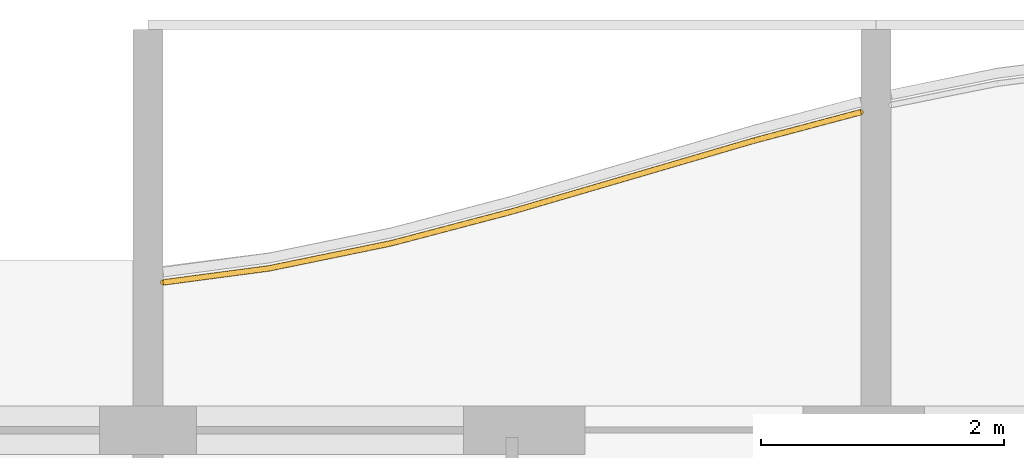
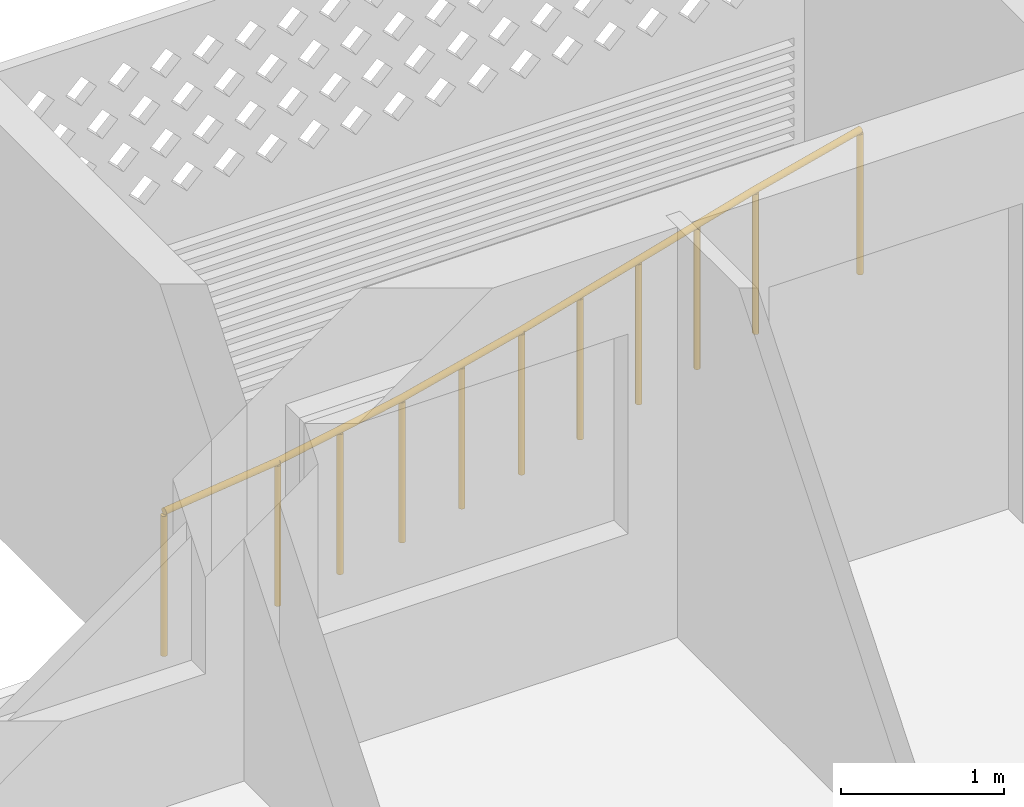
# One storey, part 19 of 26: 1 railing.
"""IFC4 building model written with IfcOpenShell, lengths in metres."""

import ifcopenshell
import ifcopenshell.guid

model = None  # the IFC model being written
_history = None  # IfcOwnerHistory: only IFC2X3 demands one
_inside = {}  # id of a spatial element -> (the spatial element, [elements in it])
_under = {}  # id of a project, library or spatial element -> (it, [spatial elements below it])
_declared = {}  # id of a project -> (the project, [libraries it declares])
_typed = {}  # id of a type object -> (the type object, [elements of that type])
_made_of = {}  # id of a material, layer set ... -> (it, [elements and type objects made of it])


def new_model(schema):
    """Start an empty IFC model of exactly this schema.

    Asked for "IFC4X3", IfcOpenShell would pick the latest addendum, in which some entities
    have other attributes; the version numbers below select the first issue.
    IFC2X3 requires an IfcOwnerHistory on every rooted entity: one is made here for all.
    """
    global model, _history
    if schema == "IFC4X3":
        model = ifcopenshell.file(schema_version=(4, 3, 0, 0))
    else:
        model = ifcopenshell.file(schema=schema)
    _inside.clear()
    _under.clear()
    _declared.clear()
    _typed.clear()
    _made_of.clear()
    _history = None
    if model.schema == "IFC2X3":
        org = make("IfcOrganization", Name="unknown")
        user = make(
            "IfcPersonAndOrganization",
            ThePerson=make("IfcPerson", FamilyName="unknown"),
            TheOrganization=org,
        )
        app = make(
            "IfcApplication",
            ApplicationDeveloper=org,
            Version="unknown",
            ApplicationFullName="unknown",
            ApplicationIdentifier="unknown",
        )
        _history = make(
            "IfcOwnerHistory",
            OwningUser=user,
            OwningApplication=app,
            ChangeAction="ADDED",
            CreationDate=0,
        )
    return model


def make(cls, **values):
    """One entity of the class cls with the attributes given. An attribute that is None is left unset."""
    return model.create_entity(
        cls, **{name: value for name, value in values.items() if value is not None}
    )


def rooted(cls, **values):
    """An entity with a GlobalId (a new one), such as an element, a storey or a relation."""
    return make(cls, GlobalId=ifcopenshell.guid.new(), OwnerHistory=_history, **values)


def si_unit(unit_type, name, prefix=None):
    """IfcSIUnit, for example si_unit("LENGTHUNIT", "METRE", prefix="MILLI")."""
    return make("IfcSIUnit", UnitType=unit_type, Prefix=prefix, Name=name)


def assignment(units):
    """IfcUnitAssignment: the units of a project."""
    return None if units is None else make("IfcUnitAssignment", Units=units)


def point(xyz):
    """IfcCartesianPoint."""
    return None if xyz is None else make("IfcCartesianPoint", Coordinates=xyz)


def direction(xyz):
    """IfcDirection."""
    return None if xyz is None else make("IfcDirection", DirectionRatios=xyz)


def frame(location, z_axis=None, x_axis=None):
    """IfcAxis2Placement3D, a coordinate frame: its origin and axes. An axis left out is left unset."""
    return make(
        "IfcAxis2Placement3D",
        Location=point(location),
        Axis=direction(z_axis),
        RefDirection=direction(x_axis),
    )


def frame_2d(location, x_axis=None):
    """IfcAxis2Placement2D, a coordinate frame in the plane: its origin and x axis."""
    return make(
        "IfcAxis2Placement2D", Location=point(location), RefDirection=direction(x_axis)
    )


def origin():
    """The frame at (0, 0, 0) with its axes left unset."""
    return frame((0.0, 0.0, 0.0))


def origin_2d():
    """The frame at (0, 0) in the plane with its x axis left unset."""
    return frame_2d((0.0, 0.0))


def place(relative_to, where):
    """IfcLocalPlacement: puts the frame where relative to a parent placement (None: the world)."""
    return make(
        "IfcLocalPlacement", PlacementRelTo=relative_to, RelativePlacement=where
    )


def context(
    kind, dimensions, precision=None, world=None, true_north=None, identifier=None
):
    """IfcGeometricRepresentationContext, for example the 3D "Model" context."""
    return make(
        "IfcGeometricRepresentationContext",
        ContextIdentifier=identifier,
        ContextType=kind,
        CoordinateSpaceDimension=dimensions,
        Precision=precision,
        WorldCoordinateSystem=world,
        TrueNorth=true_north,
    )


def subcontext(parent, identifier, kind, view, scale=None):
    """IfcGeometricRepresentationSubContext, for example "Body" below "Model"."""
    return make(
        "IfcGeometricRepresentationSubContext",
        ContextIdentifier=identifier,
        ContextType=kind,
        ParentContext=parent,
        TargetScale=scale,
        TargetView=view,
    )


def project(units=None, contexts=None):
    """IfcProject with its units and contexts."""
    return rooted(
        "IfcProject",
        Name="project",
        RepresentationContexts=contexts,
        UnitsInContext=assignment(units),
    )


def spatial(cls, under=None, at=None, **own):
    """A site, building, storey or space (cls), placed at a placement, below another one or the project."""
    s = rooted(cls, ObjectPlacement=at, **own)
    if under is not None:
        _under.setdefault(under.id(), (under, []))[1].append(s)
    return s


def profile(cls, at=None, kind="AREA", **sizes):
    """A parametric profile (cls). Its sizes go by their IFC names, for example OverallWidth=200.0."""
    return make(cls, ProfileType=kind, Position=at, **sizes)


def circle(**sizes):
    """IfcCircleProfileDef."""
    return profile("IfcCircleProfileDef", **sizes)


def extrude(swept, where, along, depth):
    """IfcExtrudedAreaSolid: the profile swept, set in the frame where, extruded along a direction by depth."""
    return make(
        "IfcExtrudedAreaSolid",
        SweptArea=swept,
        Position=where,
        ExtrudedDirection=direction(along),
        Depth=depth,
    )


def shape(context_of_items, identifier, shape_type, items):
    """IfcShapeRepresentation: the items that make up one representation, for example the "Body"."""
    return make(
        "IfcShapeRepresentation",
        ContextOfItems=context_of_items,
        RepresentationIdentifier=identifier,
        RepresentationType=shape_type,
        Items=items,
    )


def material(Name=None, Category=None):
    """IfcMaterial."""
    return make("IfcMaterial", Name=Name, Category=Category)


def made_of(thing, what):
    """Note that an element or type object is made of a material, layer set ...; save() writes the relation."""
    if what is not None:
        _made_of.setdefault(what.id(), (what, []))[1].append(thing)
    return thing


def type_object(cls, material=None, **own):
    """A type object (cls), such as IfcWallType, which elements share."""
    return made_of(rooted(cls, **own), material)


def element(
    cls,
    number,
    at=None,
    inside=None,
    cuts=None,
    type_object=None,
    material=None,
    context=None,
    identifier="Body",
    shape_type=None,
    held_by="IfcProductDefinitionShape",
    body=None,
    shapes=None,
    **own,
):
    """One element of the class cls, such as IfcWall. Its Tag is "e" and its number.

    at: its placement. inside: the storey or other place that contains it. cuts: it is an
    opening in that element (IfcRelVoidsElement). A single representation is given by context,
    identifier, shape_type and body (its items); several are given by shapes. held_by: the class
    of the entity that holds the representations. save() writes the other relations.
    """
    e = rooted(cls, Tag="e%d" % number, ObjectPlacement=at, **own)
    if body is not None:
        shapes = [shape(context, identifier, shape_type, body)]
    if shapes is not None:
        e.Representation = make(held_by, Representations=shapes)
    if inside is not None:
        _inside.setdefault(inside.id(), (inside, []))[1].append(e)
    if cuts is not None:
        rooted(
            "IfcRelVoidsElement", RelatingBuildingElement=cuts, RelatedOpeningElement=e
        )
    if type_object is not None:
        _typed.setdefault(type_object.id(), (type_object, []))[1].append(e)
    return made_of(e, material)


def aggregate(whole, parts):
    """IfcRelAggregates: a whole, such as a stair, and the parts it consists of."""
    return rooted("IfcRelAggregates", RelatingObject=whole, RelatedObjects=parts)


def save(model, path):
    """Write the relations noted so far, then the file.

    IfcRelAggregates (storeys below a building ...), IfcRelContainedInSpatialStructure (elements
    in a storey), IfcRelDefinesByType, IfcRelAssociatesMaterial and IfcRelDeclares: one each for
    every whole, place, type object, material and project.
    """
    for whole, parts in _under.values():
        aggregate(whole, parts)
    for where, things in _inside.values():
        rooted(
            "IfcRelContainedInSpatialStructure",
            RelatedElements=things,
            RelatingStructure=where,
        )
    for kind, things in _typed.values():
        rooted("IfcRelDefinesByType", RelatedObjects=things, RelatingType=kind)
    for what, things in _made_of.values():
        rooted("IfcRelAssociatesMaterial", RelatedObjects=things, RelatingMaterial=what)
    for by, libraries in _declared.values():
        rooted("IfcRelDeclares", RelatingContext=by, RelatedDefinitions=libraries)
    model.write(path)


model = new_model("IFC4")

# Units and contexts
model_context = context("Model", 3, precision=1e-05, world=origin(), true_north=direction((0.0, 1.0)))
body_context = subcontext(model_context, "Body", "Model", "MODEL_VIEW")
ifc_project = project(units=[si_unit("LENGTHUNIT", "METRE"), si_unit("AREAUNIT", "SQUARE_METRE"), si_unit("VOLUMEUNIT", "CUBIC_METRE"), si_unit("PLANEANGLEUNIT", "RADIAN"), si_unit("MASSUNIT", "GRAM", prefix="KILO")], contexts=[model_context])

# Site, building, storey
site_placement = place(None, origin())
site = spatial("IfcSite", under=ifc_project, at=site_placement, CompositionType="ELEMENT")
building_placement = place(site_placement, origin())
building = spatial("IfcBuilding", under=site, at=building_placement, Name="Poui Terraces", CompositionType="ELEMENT")
storey_placement = place(building_placement, frame((0.0, 0.0, 171.89990234375)))
storey = spatial("IfcBuildingStorey", under=building, at=storey_placement, Name="L47", CompositionType="ELEMENT", Elevation=171.89990234375)

# Railing
ifc_material = material(Name="Painted steel fretwork", Category="steel")
railing_type = type_object("IfcRailingType", Name="BALCONY GUARD 1100", PredefinedType="GUARDRAIL", material=ifc_material)
railing_placement = place(storey_placement, frame((48.125, 42.41748046875, 0.0)))
element("IfcRailing", 1, at=railing_placement, inside=storey, type_object=railing_type, Name="BALCONY GUARD", PredefinedType="GUARDRAIL", context=body_context, shape_type="SweptSolid", body=[
    extrude(circle(Radius=0.02392578125, at=origin_2d()), frame((0.0, 0.0, 1.076171875), z_axis=(0.991295408391, 0.131656421427, 0.0), x_axis=(-0.131656421427, 0.991295408391, 0.0)), (0.0, 0.0, 1.0), 0.882568359375),
    extrude(circle(Radius=0.02392578125, at=origin_2d()), frame((0.875, 0.1162109375, 1.076171875), z_axis=(0.979518122884, 0.201356020378, 0.0), x_axis=(-0.201356020378, 0.979518122884, 0.0)), (0.0, 0.0, 1.0), 1.02099609375),
    extrude(circle(Radius=0.02392578125, at=origin_2d()), frame((1.875, 0.32177734375, 1.076171875), z_axis=(0.967126511287, 0.25429571598, 0.0), x_axis=(-0.25429571598, 0.967126511287, 0.0)), (0.0, 0.0, 1.0), 1.033935546875),
    extrude(circle(Radius=0.02392578125, at=origin_2d()), frame((2.875, 0.584716796875, 1.076171875), z_axis=(0.959726621702, 0.280935600444, 0.0), x_axis=(-0.280935600444, 0.959726621702, 0.0)), (0.0, 0.0, 1.0), 1.0419921875),
    extrude(circle(Radius=0.02392578125, at=origin_2d()), frame((3.875, 0.87744140625, 1.076171875), z_axis=(0.959663427085, 0.281151394654, 0.0), x_axis=(-0.281151394654, 0.959663427085, 0.0)), (0.0, 0.0, 1.0), 1.0419921875),
    extrude(circle(Radius=0.02392578125, at=origin_2d()), frame((4.875, 1.17041015625, 1.076171875), z_axis=(0.966418189442, 0.256974479503, 0.0), x_axis=(-0.256974479503, 0.966418189442, 0.0)), (0.0, 0.0, 1.0), 0.905517578125),
    extrude(circle(Radius=0.02099609375, at=origin_2d()), origin(), (0.0, 0.0, 1.0), 1.052001953125),
    extrude(circle(Radius=0.02099609375, at=origin_2d()), frame((0.875, 0.1162109375, 0.0)), (0.0, 0.0, 1.0), 1.052001953125),
    extrude(circle(Radius=0.02099609375, at=origin_2d()), frame((1.375, 0.218994140625, 0.0)), (0.0, 0.0, 1.0), 1.052001953125),
    extrude(circle(Radius=0.02099609375, at=origin_2d()), frame((1.875, 0.32177734375, 0.0)), (0.0, 0.0, 1.0), 1.052001953125),
    extrude(circle(Radius=0.02099609375, at=origin_2d()), frame((2.375, 0.453125, 0.0)), (0.0, 0.0, 1.0), 1.052001953125),
    extrude(circle(Radius=0.02099609375, at=origin_2d()), frame((2.875, 0.584716796875, 0.0)), (0.0, 0.0, 1.0), 1.052001953125),
    extrude(circle(Radius=0.02099609375, at=origin_2d()), frame((3.375, 0.73095703125, 0.0)), (0.0, 0.0, 1.0), 1.052001953125),
    extrude(circle(Radius=0.02099609375, at=origin_2d()), frame((3.875, 0.87744140625, 0.0)), (0.0, 0.0, 1.0), 1.052001953125),
    extrude(circle(Radius=0.02099609375, at=origin_2d()), frame((4.375, 1.02392578125, 0.0)), (0.0, 0.0, 1.0), 1.052001953125),
    extrude(circle(Radius=0.02099609375, at=origin_2d()), frame((4.875, 1.17041015625, 0.0)), (0.0, 0.0, 1.0), 1.052001953125),
    extrude(circle(Radius=0.02099609375, at=origin_2d()), frame((5.75, 1.403076171875, 0.0)), (0.0, 0.0, 1.0), 1.052001953125),
])

save(model, "model.ifc")
